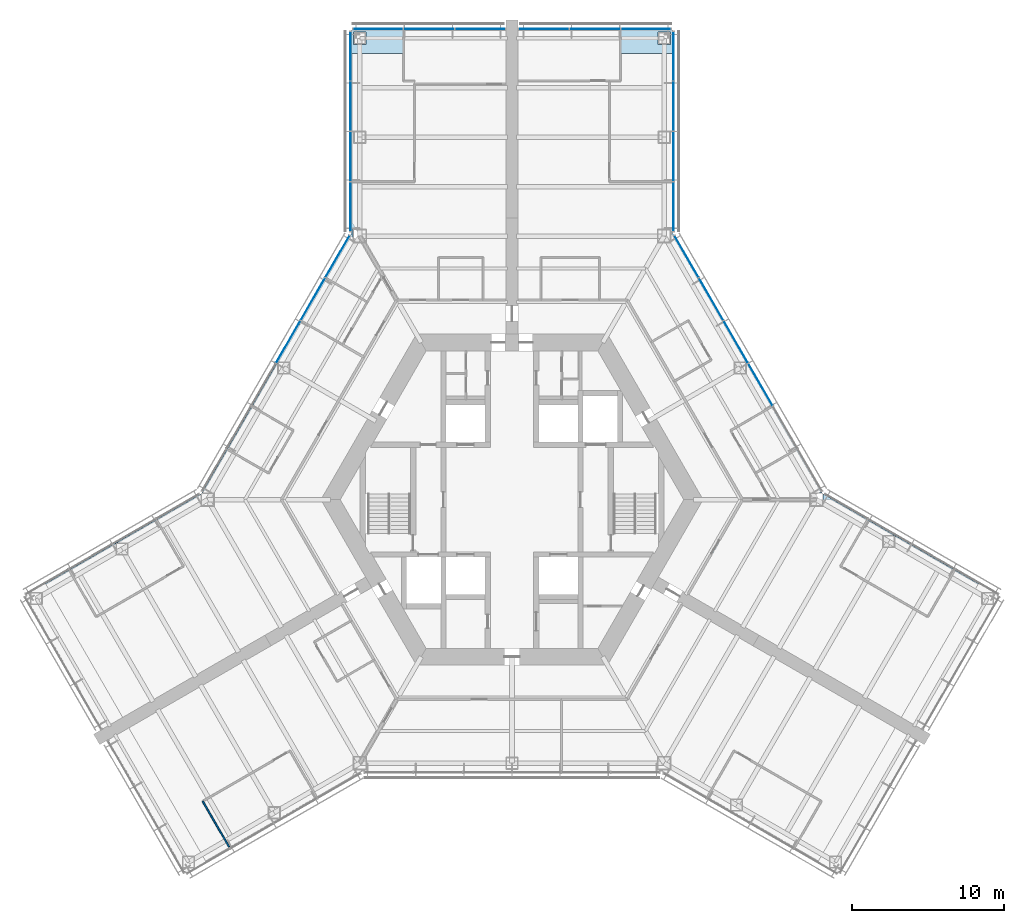
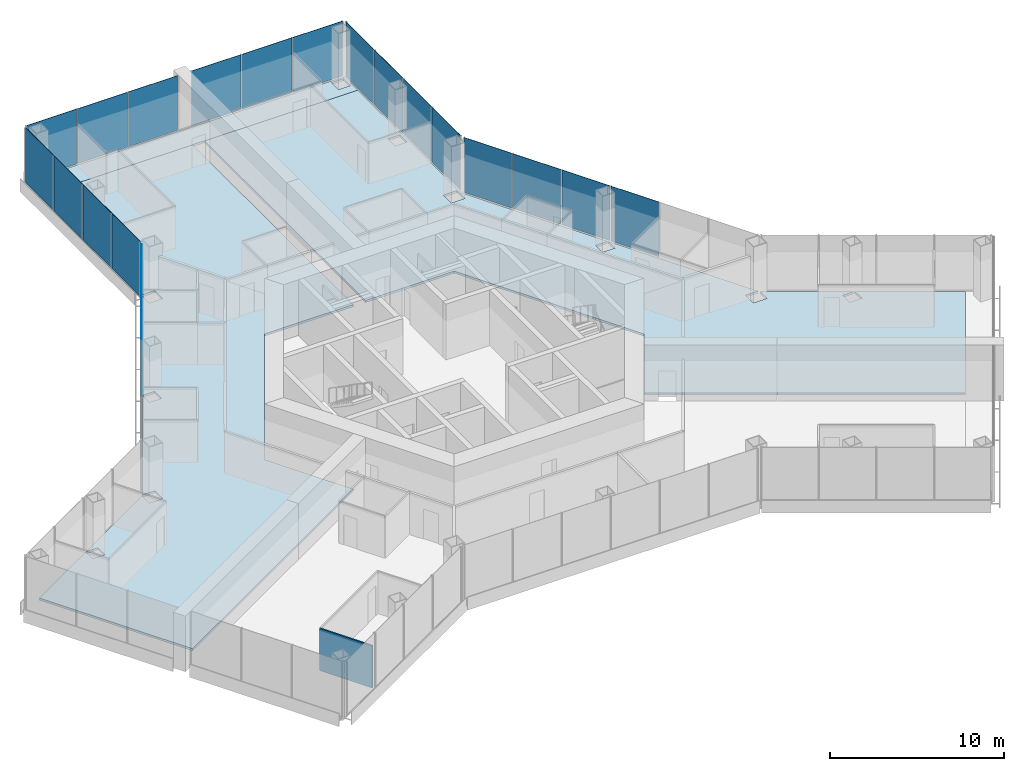
# One storey, part 11 of 18: 21 plates, 3 slabs, 1 wall, 6 elements without a shape of their own.
"""IFC4 building model written with IfcOpenShell, lengths in metres."""

from ifc_helpers import new_model, si_unit, direction, frame, frame_2d, origin, origin_2d, place, context, subcontext, project, spatial, polyline, rectangle, outline, extrude, material, layer, layer_set, type_object, element, aggregate, save


model = new_model("IFC4")

# Units and contexts
model_context = context("Model", 3, precision=1e-05, world=origin(), true_north=direction((0.0, 1.0)))
body_context = subcontext(model_context, "Body", "Model", "MODEL_VIEW")
ifc_project = project(units=[si_unit("LENGTHUNIT", "METRE"), si_unit("AREAUNIT", "SQUARE_METRE"), si_unit("VOLUMEUNIT", "CUBIC_METRE"), si_unit("PLANEANGLEUNIT", "RADIAN"), si_unit("MASSUNIT", "GRAM", prefix="KILO")], contexts=[model_context])

# Site, building, storey
site_placement = place(None, origin())
site = spatial("IfcSite", under=ifc_project, at=site_placement, CompositionType="ELEMENT")
building_placement = place(site_placement, origin())
building = spatial("IfcBuilding", under=site, at=building_placement, Name="Kasaneha Research Tower", CompositionType="ELEMENT")
storey_placement = place(building_placement, frame((0.0, 0.0, 61.199951171875)))
storey = spatial("IfcBuildingStorey", under=building, at=storey_placement, Name="L15", CompositionType="ELEMENT", Elevation=61.199951171875)

# Curtain wall, plates
ifc_material_1 = material(Name="Glass and aluminium", Category="aluminium")
curtain_wall_type = type_object("IfcCurtainWallType", Name="Low-rise office curtain wall", PredefinedType="USERDEFINED", material=ifc_material_1)
curtain_wall_1_placement = place(storey_placement, origin())
curtain_wall_1 = element("IfcCurtainWall", 1, at=curtain_wall_1_placement, inside=storey, type_object=curtain_wall_type, Name="CW-O1 L15 run 07a", ObjectType="UNITISED CURTAIN WALL", PredefinedType="USERDEFINED")
ifc_material_2 = material(Name="Laminated double glazing", Category="glass")
ifc_layer_1 = layer(ifc_material_2, 0.028076171875)
ifc_layer_set_1 = layer_set([ifc_layer_1], Name="CW-O1 glazed panel")
plate_type = type_object("IfcPlateType", Name="CW-O1 glazed panel", PredefinedType="CURTAIN_PANEL", material=ifc_layer_set_1)
plate_1_placement = place(storey_placement, frame((16.331298828125, 7.554443359375, 0.06005859375), z_axis=(0.0, 0.0, 1.0), x_axis=(-0.49999996188, 0.866025425793, 0.0)))
plate_1 = element("IfcPlate", 2, at=plate_1_placement, type_object=plate_type, Name="CW-O1 panel 3", PredefinedType="CURTAIN_PANEL", context=body_context, shape_type="SweptSolid", body=[
    extrude(rectangle(XDim=3.1865234375, YDim=0.028076171875, at=origin_2d()), origin(), (0.0, 0.0, 1.0), 3.840087890625),
])
plate_2_placement = place(storey_placement, frame((14.7080078125, 10.365966796875, 0.06005859375), z_axis=(0.0, 0.0, 1.0), x_axis=(-0.49999996188, 0.866025425793, 0.0)))
plate_2 = element("IfcPlate", 3, at=plate_2_placement, type_object=plate_type, Name="CW-O1 panel 4", PredefinedType="CURTAIN_PANEL", context=body_context, shape_type="SweptSolid", body=[
    extrude(rectangle(XDim=3.1865234375, YDim=0.028076171875, at=origin_2d()), origin(), (0.0, 0.0, 1.0), 3.840087890625),
])
plate_3_placement = place(storey_placement, frame((13.084716796875, 13.177490234375, 0.06005859375), z_axis=(0.0, 0.0, 1.0), x_axis=(-0.49999996188, 0.866025425793, 0.0)))
plate_3 = element("IfcPlate", 4, at=plate_3_placement, type_object=plate_type, Name="CW-O1 panel 5", PredefinedType="CURTAIN_PANEL", context=body_context, shape_type="SweptSolid", body=[
    extrude(rectangle(XDim=3.1865234375, YDim=0.028076171875, at=origin_2d()), origin(), (0.0, 0.0, 1.0), 3.840087890625),
])
plate_4_placement = place(storey_placement, frame((11.468994140625, 15.975830078125, 0.06005859375), z_axis=(0.0, 0.0, 1.0), x_axis=(-0.49999996188, 0.866025425793, 0.0)))
plate_4 = element("IfcPlate", 5, at=plate_4_placement, type_object=plate_type, Name="CW-O1 panel 6", PredefinedType="CURTAIN_PANEL", context=body_context, shape_type="SweptSolid", body=[
    extrude(rectangle(XDim=3.156494140625, YDim=0.028076171875, at=origin_2d()), origin(), (0.0, 0.0, 1.0), 3.840087890625),
])
aggregate(curtain_wall_1, [plate_1, plate_2, plate_3, plate_4])

curtain_wall_2_placement = place(storey_placement, origin())
curtain_wall_2 = element("IfcCurtainWall", 6, at=curtain_wall_2_placement, inside=storey, type_object=curtain_wall_type, Name="CW-O1 L15 run 08a", ObjectType="UNITISED CURTAIN WALL", PredefinedType="USERDEFINED")
plate_5_placement = place(storey_placement, frame((10.60009765625, 19.251220703125, 0.06005859375), z_axis=(0.0, 0.0, 1.0), x_axis=(0.0, 1.0, 0.0)))
plate_5 = element("IfcPlate", 7, at=plate_5_placement, type_object=plate_type, Name="CW-O1 panel 1", PredefinedType="CURTAIN_PANEL", context=body_context, shape_type="SweptSolid", body=[
    extrude(rectangle(XDim=3.2197265625, YDim=0.028076171875, at=origin_2d()), origin(), (0.0, 0.0, 1.0), 3.840087890625),
])
plate_6_placement = place(storey_placement, frame((10.60009765625, 22.5458984375, 0.06005859375), z_axis=(0.0, 0.0, 1.0), x_axis=(0.0, 1.0, 0.0)))
plate_6 = element("IfcPlate", 8, at=plate_6_placement, type_object=plate_type, Name="CW-O1 panel 2", PredefinedType="CURTAIN_PANEL", context=body_context, shape_type="SweptSolid", body=[
    extrude(rectangle(XDim=3.249755859375, YDim=0.028076171875, at=origin_2d()), origin(), (0.0, 0.0, 1.0), 3.840087890625),
])
plate_7_placement = place(storey_placement, frame((10.60009765625, 25.855712890625, 0.06005859375), z_axis=(0.0, 0.0, 1.0), x_axis=(0.0, 1.0, 0.0)))
plate_7 = element("IfcPlate", 9, at=plate_7_placement, type_object=plate_type, Name="CW-O1 panel 3", PredefinedType="CURTAIN_PANEL", context=body_context, shape_type="SweptSolid", body=[
    extrude(rectangle(XDim=3.249755859375, YDim=0.028076171875, at=origin_2d()), origin(), (0.0, 0.0, 1.0), 3.840087890625),
])
plate_8_placement = place(storey_placement, frame((10.60009765625, 29.150634765625, 0.06005859375), z_axis=(0.0, 0.0, 1.0), x_axis=(0.0, 1.0, 0.0)))
plate_8 = element("IfcPlate", 10, at=plate_8_placement, type_object=plate_type, Name="CW-O1 panel 4", PredefinedType="CURTAIN_PANEL", context=body_context, shape_type="SweptSolid", body=[
    extrude(rectangle(XDim=3.2197265625, YDim=0.028076171875, at=origin_2d()), origin(), (0.0, 0.0, 1.0), 3.840087890625),
])
aggregate(curtain_wall_2, [plate_5, plate_6, plate_7, plate_8])

curtain_wall_3_placement = place(storey_placement, origin())
curtain_wall_3 = element("IfcCurtainWall", 11, at=curtain_wall_3_placement, inside=storey, type_object=curtain_wall_type, Name="CW-O1 L15 run 09a", ObjectType="UNITISED CURTAIN WALL", PredefinedType="USERDEFINED")
plate_9_placement = place(storey_placement, frame((8.8017578125, 30.92041015625, 0.06005859375), z_axis=(0.0, 0.0, 1.0), x_axis=(-1.0, 0.0, 0.0)))
plate_9 = element("IfcPlate", 12, at=plate_9_placement, type_object=plate_type, Name="CW-O1 panel 1", PredefinedType="CURTAIN_PANEL", context=body_context, shape_type="SweptSolid", body=[
    extrude(rectangle(XDim=3.276611328125, YDim=0.028076171875, at=origin_2d()), origin(), (0.0, 0.0, 1.0), 3.840087890625),
])
plate_10_placement = place(storey_placement, frame((5.449951171875, 30.92041015625, 0.06005859375), z_axis=(0.0, 0.0, 1.0), x_axis=(-1.0, 0.0, 0.0)))
plate_10 = element("IfcPlate", 13, at=plate_10_placement, type_object=plate_type, Name="CW-O1 panel 2", PredefinedType="CURTAIN_PANEL", context=body_context, shape_type="SweptSolid", body=[
    extrude(rectangle(XDim=3.306640625, YDim=0.028076171875, at=origin_2d()), origin(), (0.0, 0.0, 1.0), 3.840087890625),
])
plate_11_placement = place(storey_placement, frame((2.098388671875, 30.92041015625, 0.06005859375), z_axis=(0.0, 0.0, 1.0), x_axis=(-1.0, 0.0, 0.0)))
plate_11 = element("IfcPlate", 14, at=plate_11_placement, type_object=plate_type, Name="CW-O1 panel 3", PredefinedType="CURTAIN_PANEL", context=body_context, shape_type="SweptSolid", body=[
    extrude(rectangle(XDim=3.276611328125, YDim=0.028076171875, at=origin_2d()), origin(), (0.0, 0.0, 1.0), 3.840087890625),
])
aggregate(curtain_wall_3, [plate_9, plate_10, plate_11])

curtain_wall_4_placement = place(storey_placement, origin())
curtain_wall_4 = element("IfcCurtainWall", 15, at=curtain_wall_4_placement, inside=storey, type_object=curtain_wall_type, Name="CW-O1 L15 run 10a", ObjectType="UNITISED CURTAIN WALL", PredefinedType="USERDEFINED")
plate_12_placement = place(storey_placement, frame((-2.098388671875, 30.92041015625, 0.06005859375), z_axis=(0.0, 0.0, 1.0), x_axis=(-1.0, 0.0, 0.0)))
plate_12 = element("IfcPlate", 16, at=plate_12_placement, type_object=plate_type, Name="CW-O1 panel 1", PredefinedType="CURTAIN_PANEL", context=body_context, shape_type="SweptSolid", body=[
    extrude(rectangle(XDim=3.276611328125, YDim=0.028076171875, at=origin_2d()), origin(), (0.0, 0.0, 1.0), 3.840087890625),
])
plate_13_placement = place(storey_placement, frame((-5.449951171875, 30.92041015625, 0.06005859375), z_axis=(0.0, 0.0, 1.0), x_axis=(-1.0, 0.0, 0.0)))
plate_13 = element("IfcPlate", 17, at=plate_13_placement, type_object=plate_type, Name="CW-O1 panel 2", PredefinedType="CURTAIN_PANEL", context=body_context, shape_type="SweptSolid", body=[
    extrude(rectangle(XDim=3.306640625, YDim=0.028076171875, at=origin_2d()), origin(), (0.0, 0.0, 1.0), 3.840087890625),
])
plate_14_placement = place(storey_placement, frame((-8.8017578125, 30.92041015625, 0.06005859375), z_axis=(0.0, 0.0, 1.0), x_axis=(-1.0, 0.0, 0.0)))
plate_14 = element("IfcPlate", 18, at=plate_14_placement, type_object=plate_type, Name="CW-O1 panel 3", PredefinedType="CURTAIN_PANEL", context=body_context, shape_type="SweptSolid", body=[
    extrude(rectangle(XDim=3.276611328125, YDim=0.028076171875, at=origin_2d()), origin(), (0.0, 0.0, 1.0), 3.840087890625),
])
aggregate(curtain_wall_4, [plate_12, plate_13, plate_14])

curtain_wall_5_placement = place(storey_placement, origin())
curtain_wall_5 = element("IfcCurtainWall", 19, at=curtain_wall_5_placement, inside=storey, type_object=curtain_wall_type, Name="CW-O1 L15 run 11a", ObjectType="UNITISED CURTAIN WALL", PredefinedType="USERDEFINED")
plate_15_placement = place(storey_placement, frame((-10.60009765625, 29.150634765625, 0.06005859375), z_axis=(0.0, 0.0, 1.0), x_axis=(0.0, -1.0, 0.0)))
plate_15 = element("IfcPlate", 20, at=plate_15_placement, type_object=plate_type, Name="CW-O1 panel 1", PredefinedType="CURTAIN_PANEL", context=body_context, shape_type="SweptSolid", body=[
    extrude(rectangle(XDim=3.2197265625, YDim=0.028076171875, at=origin_2d()), origin(), (0.0, 0.0, 1.0), 3.840087890625),
])
plate_16_placement = place(storey_placement, frame((-10.60009765625, 25.855712890625, 0.06005859375), z_axis=(0.0, 0.0, 1.0), x_axis=(0.0, -1.0, 0.0)))
plate_16 = element("IfcPlate", 21, at=plate_16_placement, type_object=plate_type, Name="CW-O1 panel 2", PredefinedType="CURTAIN_PANEL", context=body_context, shape_type="SweptSolid", body=[
    extrude(rectangle(XDim=3.249755859375, YDim=0.028076171875, at=origin_2d()), origin(), (0.0, 0.0, 1.0), 3.840087890625),
])
plate_17_placement = place(storey_placement, frame((-10.60009765625, 22.5458984375, 0.06005859375), z_axis=(0.0, 0.0, 1.0), x_axis=(0.0, -1.0, 0.0)))
plate_17 = element("IfcPlate", 22, at=plate_17_placement, type_object=plate_type, Name="CW-O1 panel 3", PredefinedType="CURTAIN_PANEL", context=body_context, shape_type="SweptSolid", body=[
    extrude(rectangle(XDim=3.249755859375, YDim=0.028076171875, at=origin_2d()), origin(), (0.0, 0.0, 1.0), 3.840087890625),
])
plate_18_placement = place(storey_placement, frame((-10.60009765625, 19.251220703125, 0.06005859375), z_axis=(0.0, 0.0, 1.0), x_axis=(0.0, -1.0, 0.0)))
plate_18 = element("IfcPlate", 23, at=plate_18_placement, type_object=plate_type, Name="CW-O1 panel 4", PredefinedType="CURTAIN_PANEL", context=body_context, shape_type="SweptSolid", body=[
    extrude(rectangle(XDim=3.2197265625, YDim=0.028076171875, at=origin_2d()), origin(), (0.0, 0.0, 1.0), 3.840087890625),
])
aggregate(curtain_wall_5, [plate_15, plate_16, plate_17, plate_18])

curtain_wall_6_placement = place(storey_placement, origin())
curtain_wall_6 = element("IfcCurtainWall", 24, at=curtain_wall_6_placement, inside=storey, type_object=curtain_wall_type, Name="CW-O1 L15 run 12a", ObjectType="UNITISED CURTAIN WALL", PredefinedType="USERDEFINED")
plate_19_placement = place(storey_placement, frame((-11.468994140625, 15.975830078125, 0.06005859375), z_axis=(0.0, 0.0, 1.0), x_axis=(-0.49999996188, -0.866025425793, 0.0)))
plate_19 = element("IfcPlate", 25, at=plate_19_placement, type_object=plate_type, Name="CW-O1 panel 1", PredefinedType="CURTAIN_PANEL", context=body_context, shape_type="SweptSolid", body=[
    extrude(rectangle(XDim=3.156494140625, YDim=0.028076171875, at=origin_2d()), origin(), (0.0, 0.0, 1.0), 3.840087890625),
])
plate_20_placement = place(storey_placement, frame((-13.084716796875, 13.177490234375, 0.06005859375), z_axis=(0.0, 0.0, 1.0), x_axis=(-0.49999996188, -0.866025425793, 0.0)))
plate_20 = element("IfcPlate", 26, at=plate_20_placement, type_object=plate_type, Name="CW-O1 panel 2", PredefinedType="CURTAIN_PANEL", context=body_context, shape_type="SweptSolid", body=[
    extrude(rectangle(XDim=3.1865234375, YDim=0.028076171875, at=origin_2d()), origin(), (0.0, 0.0, 1.0), 3.840087890625),
])
plate_21_placement = place(storey_placement, frame((-14.7080078125, 10.365966796875, 0.06005859375), z_axis=(0.0, 0.0, 1.0), x_axis=(-0.49999996188, -0.866025425793, 0.0)))
plate_21 = element("IfcPlate", 27, at=plate_21_placement, type_object=plate_type, Name="CW-O1 panel 3", PredefinedType="CURTAIN_PANEL", context=body_context, shape_type="SweptSolid", body=[
    extrude(rectangle(XDim=3.1865234375, YDim=0.028076171875, at=origin_2d()), origin(), (0.0, 0.0, 1.0), 3.840087890625),
])
aggregate(curtain_wall_6, [plate_19, plate_20, plate_21])

# Slabs
ifc_material_3 = material(Name="Concrete Fc24", Category="concrete")
ifc_layer_2 = layer(ifc_material_3, 0.14990234375)
ifc_layer_set_2 = layer_set([ifc_layer_2], Name="Floor slab 150")
slab_type = type_object("IfcSlabType", Name="Floor slab 150", PredefinedType="FLOOR", material=ifc_layer_set_2)
slab_1_placement = place(storey_placement, frame((0.0, 0.0, -0.14990234375)))
element("IfcSlab", 28, at=slab_1_placement, inside=storey, type_object=slab_type, Name="Floor slab L15 2", PredefinedType="FLOOR", context=body_context, shape_type="SweptSolid", body=[
    extrude(outline(polyline([(-20.375244140625, 0.449951171875), (-15.40771484375, 9.053955078125), (-15.400146484375, 9.046142578125), (-15.400146484375, 8.26025390625), (-14.599853515625, 8.26025390625), (-14.599853515625, 9.060302734375), (-15.385986328125, 9.060302734375), (-15.3974609375, 9.07177734375), (-10.550048828125, 17.4677734375), (-10.550048828125, 29.310546875), (-0.39990234375, 29.310546875), (-0.39990234375, 10.875), (-6.278564453125, 10.875), (-12.557373046875, 0.0), (-9.617919921875, -5.091064453125), (-25.583740234375, -14.308837890625), (-30.65869140625, -5.518798828125), (-26.040771484375, -2.8525390625), (-26.029296875, -2.864013671875), (-26.029296875, -3.650146484375), (-25.22900390625, -3.650146484375), (-25.22900390625, -2.849853515625), (-26.01513671875, -2.849853515625), (-26.02294921875, -2.84228515625), (-20.449951171875, 0.375244140625), (-20.449951171875, -0.449951171875), (-19.550048828125, -0.449951171875), (-19.550048828125, 0.449951171875), (-20.375244140625, 0.449951171875)]), holes=[polyline([(-9.550048828125, 17.7705078125), (-10.449951171875, 17.7705078125), (-10.449951171875, 16.87060546875), (-9.550048828125, 16.87060546875), (-9.550048828125, 17.7705078125)]), polyline([(-9.60009765625, 23.42041015625), (-9.60009765625, 24.220458984375), (-10.39990234375, 24.220458984375), (-10.39990234375, 23.42041015625), (-9.60009765625, 23.42041015625)])]), origin(), (0.0, 0.0, 1.0), 0.14990234375),
])
slab_2_placement = place(storey_placement, frame((0.0, 0.0, -0.14990234375)))
element("IfcSlab", 29, at=slab_2_placement, inside=storey, type_object=slab_type, Name="Floor slab L15 3", PredefinedType="FLOOR", context=body_context, shape_type="SweptSolid", body=[
    extrude(outline(polyline([(10.550048828125, 29.310546875), (0.39990234375, 29.310546875), (0.39990234375, 29.320556640625), (-0.39990234375, 29.320556640625), (-0.39990234375, 29.310546875), (-10.550048828125, 29.310546875), (-10.550048828125, 30.87060546875), (10.550048828125, 30.87060546875), (10.550048828125, 29.310546875)]), holes=[polyline([(-9.60009765625, 30.720458984375), (-10.39990234375, 30.720458984375), (-10.39990234375, 29.92041015625), (-9.60009765625, 29.92041015625), (-9.60009765625, 30.720458984375)]), polyline([(10.39990234375, 29.92041015625), (10.39990234375, 30.720458984375), (9.60009765625, 30.720458984375), (9.60009765625, 29.92041015625), (10.39990234375, 29.92041015625)])]), origin(), (0.0, 0.0, 1.0), 0.14990234375),
])
slab_3_placement = place(storey_placement, frame((0.0, 0.0, -0.14990234375)))
element("IfcSlab", 30, at=slab_3_placement, inside=storey, type_object=slab_type, Name="Floor slab L15 5", PredefinedType="FLOOR", context=body_context, shape_type="SweptSolid", body=[
    extrude(outline(polyline([(9.617919921875, -5.091064453125), (12.557373046875, 0.0), (6.278564453125, 10.875), (0.39990234375, 10.875), (0.39990234375, 29.310546875), (10.550048828125, 29.310546875), (10.550048828125, 17.4677734375), (15.3974609375, 9.07177734375), (15.385986328125, 9.060302734375), (14.599853515625, 9.060302734375), (14.599853515625, 8.26025390625), (15.400146484375, 8.26025390625), (15.400146484375, 9.046142578125), (15.40771484375, 9.053955078125), (20.375244140625, 0.449951171875), (19.550048828125, 0.449951171875), (19.550048828125, -0.449951171875), (20.449951171875, -0.449951171875), (20.449951171875, 0.375244140625), (25.15673828125, -2.34228515625), (25.149169921875, -2.349853515625), (24.363037109375, -2.349853515625), (24.363037109375, -3.150146484375), (25.163330078125, -3.150146484375), (25.163330078125, -2.364013671875), (25.1748046875, -2.3525390625), (30.65869140625, -5.518798828125), (25.583740234375, -14.308837890625), (9.617919921875, -5.091064453125)]), holes=[polyline([(10.449951171875, 16.87060546875), (10.449951171875, 17.7705078125), (9.550048828125, 17.7705078125), (9.550048828125, 16.87060546875), (10.449951171875, 16.87060546875)]), polyline([(10.39990234375, 23.42041015625), (10.39990234375, 24.220458984375), (9.60009765625, 24.220458984375), (9.60009765625, 23.42041015625), (10.39990234375, 23.42041015625)])]), origin(), (0.0, 0.0, 1.0), 0.14990234375),
])

# Wall
ifc_material_4 = material(Name="Gypsum board on steel studs, one layer each side", Category="steel")
ifc_layer_3 = layer(ifc_material_4, 0.10009765625)
ifc_layer_set_3 = layer_set([ifc_layer_3], Name="Office partition 100")
wall_type = type_object("IfcWallType", Name="Office partition 100", PredefinedType="PARTITIONING", material=ifc_layer_set_3)
wall_placement = place(storey_placement, frame((-18.5849609375, -22.831298828125, 0.0), z_axis=(0.0, 0.0, 1.0), x_axis=(-0.499979528911, 0.866037222451, 0.0)))
element("IfcWall", 31, at=wall_placement, inside=storey, type_object=wall_type, Name="Office partition FBS05 L15", PredefinedType="PARTITIONING", context=body_context, shape_type="SweptSolid", body=[
    extrude(rectangle(XDim=3.480224609375, YDim=0.10009765625, at=frame_2d((1.740234375, 0.0))), origin(), (0.0, 0.0, 1.0), 2.949951171875),
])

save(model, "model.ifc")
